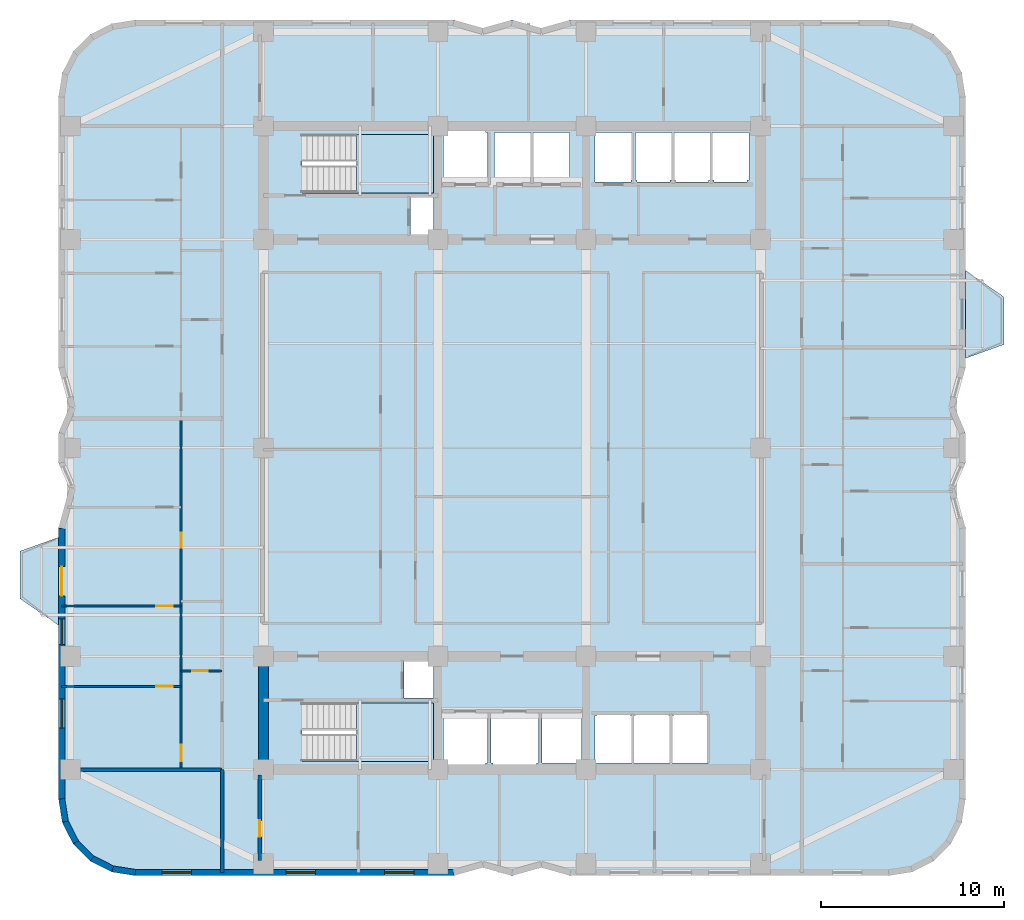
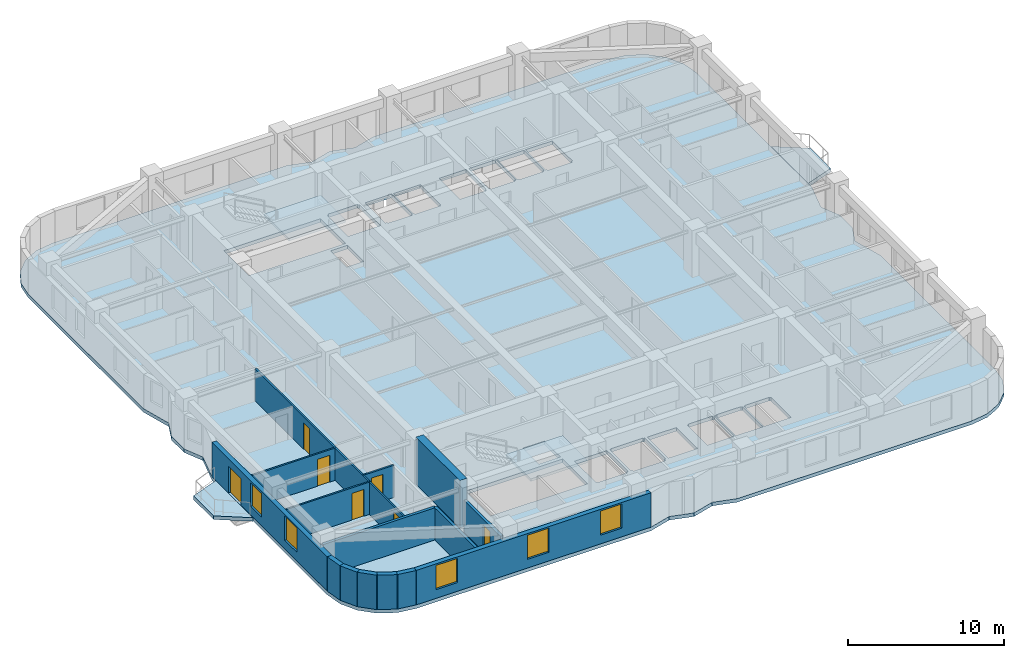
# One storey, part 2 of 9: 15 walls, 7 doors, 5 slabs, 5 windows, 12 openings, 2 elements without a shape of their own.
"""IFC4 building model written with IfcOpenShell, lengths in metres."""

from ifc_helpers import new_model, si_unit, direction, frame, frame_2d, origin, place, context, subcontext, project, spatial, polyline, rectangle, outline, extrude, material, layer, layer_set, type_object, element, fill, aggregate, save


model = new_model("IFC4")

# Units and contexts
model_context = context("Model", 3, precision=1e-05, world=origin(), true_north=direction((0.0, 1.0)))
body_context = subcontext(model_context, "Body", "Model", "MODEL_VIEW")
ifc_project = project(units=[si_unit("LENGTHUNIT", "METRE"), si_unit("AREAUNIT", "SQUARE_METRE"), si_unit("VOLUMEUNIT", "CUBIC_METRE"), si_unit("PLANEANGLEUNIT", "RADIAN"), si_unit("MASSUNIT", "GRAM", prefix="KILO")], contexts=[model_context])

# Site, building, storey
site_placement = place(None, origin())
site = spatial("IfcSite", under=ifc_project, at=site_placement, CompositionType="ELEMENT")
building_placement = place(site_placement, origin())
building = spatial("IfcBuilding", under=site, at=building_placement, Name="Svetorya Sky Lyceum", CompositionType="ELEMENT")
storey_placement = place(building_placement, frame((0.0, 0.0, 88.300048828125)))
storey = spatial("IfcBuildingStorey", under=building, at=storey_placement, Name="L21", CompositionType="ELEMENT", Elevation=88.300048828125)

# Slabs
ifc_material_1 = material(Name="Concrete C40/50", Category="concrete")
ifc_layer_1 = layer(ifc_material_1, 0.280029296875)
ifc_layer_set_1 = layer_set([ifc_layer_1], Name="Concrete C40/50")
slab_type_1 = type_object("IfcSlabType", Name="SL-BAL-280", PredefinedType="FLOOR", material=ifc_layer_set_1)
slab_1_placement = place(storey_placement, frame((0.0, 0.0, -0.280029296875)))
element("IfcSlab", 1, at=slab_1_placement, inside=storey, type_object=slab_type_1, Name="L21 Chamfered Loggia Balcony BAL-W1", PredefinedType="FLOOR", context=body_context, shape_type="SweptSolid", body=[
    extrude(outline(polyline([(14.389892578125, 18.5), (14.389892578125, 23.300048828125), (12.2900390625, 22.550048828125), (12.2900390625, 19.949951171875), (14.389892578125, 18.5)])), origin(), (0.0, 0.0, 1.0), 0.280029296875),
])
slab_2_placement = place(storey_placement, frame((0.0, 0.0, -0.280029296875)))
element("IfcSlab", 2, at=slab_2_placement, inside=storey, type_object=slab_type_1, Name="L21 Chamfered Loggia Balcony BAL-E1", PredefinedType="FLOOR", context=body_context, shape_type="SweptSolid", body=[
    extrude(outline(polyline([(64.010009765625, 33.10009765625), (66.110107421875, 33.85009765625), (66.110107421875, 36.449951171875), (64.010009765625, 37.89990234375), (64.010009765625, 33.10009765625)])), origin(), (0.0, 0.0, 1.0), 0.280029296875),
])

# Stair, slab
stair_type_1 = type_object("IfcStairType", Name="STR-ST-S", PredefinedType="HALF_TURN_STAIR", material=ifc_material_1)
stair_1_placement = place(storey_placement, origin())
stair_1 = element("IfcStair", 3, at=stair_1_placement, inside=storey, type_object=stair_type_1, Name="L21 South Core Smoke-Free Exit Stair N2", PredefinedType="HALF_TURN_STAIR")
ifc_layer_2 = layer(ifc_material_1, 0.199951171875)
ifc_layer_set_2 = layer_set([ifc_layer_2], Name="Concrete C40/50")
slab_type_2 = type_object("IfcSlabType", Name="SL-STR-LAND-200", PredefinedType="LANDING", material=ifc_layer_set_2)
slab_3_placement = place(storey_placement, frame((0.0, 0.0, 1.64990234375)))
slab_3 = element("IfcSlab", 4, at=slab_3_placement, type_object=slab_type_2, Name="ST-S landing 1", PredefinedType="LANDING", context=body_context, shape_type="SweptSolid", body=[
    extrude(outline(polyline([(30.699951171875, 11.050048828125), (34.89990234375, 11.050048828125), (34.89990234375, 14.25), (30.699951171875, 14.25), (30.699951171875, 11.050048828125)])), origin(), (0.0, 0.0, 1.0), 0.199951171875),
])
aggregate(stair_1, [slab_3])

stair_type_2 = type_object("IfcStairType", Name="STR-ST-N", PredefinedType="HALF_TURN_STAIR", material=ifc_material_1)
stair_2_placement = place(storey_placement, origin())
stair_2 = element("IfcStair", 5, at=stair_2_placement, inside=storey, type_object=stair_type_2, Name="L21 North Core Smoke-Free Exit Stair N3", PredefinedType="HALF_TURN_STAIR")
slab_4_placement = place(storey_placement, frame((0.0, 0.0, 1.64990234375)))
slab_4 = element("IfcSlab", 6, at=slab_4_placement, type_object=slab_type_2, Name="ST-N landing 1", PredefinedType="LANDING", context=body_context, shape_type="SweptSolid", body=[
    extrude(outline(polyline([(30.699951171875, 42.14990234375), (34.89990234375, 42.14990234375), (34.89990234375, 45.35009765625), (30.699951171875, 45.35009765625), (30.699951171875, 42.14990234375)])), origin(), (0.0, 0.0, 1.0), 0.199951171875),
])
aggregate(stair_2, [slab_4])

# Slab
ifc_material_2 = material(Name="Concrete C50/60", Category="concrete")
ifc_layer_3 = layer(ifc_material_2, 0.280029296875)
ifc_layer_set_3 = layer_set([ifc_layer_3], Name="Concrete C50/60")
slab_type_3 = type_object("IfcSlabType", Name="SL-TWR-280", PredefinedType="FLOOR", material=ifc_layer_set_3)
slab_5_placement = place(storey_placement, frame((0.0, 0.0, -0.280029296875)))
element("IfcSlab", 7, at=slab_5_placement, inside=storey, type_object=slab_type_3, Name="L21 Structural Floor Slab", PredefinedType="FLOOR", context=body_context, shape_type="SweptSolid", body=[
    extrude(outline(polyline([(14.39990234375, 9.0), (14.605712890625, 7.7021484375), (15.2021484375, 6.53125), (16.13134765625, 5.60205078125), (17.302001953125, 5.005615234375), (18.60009765625, 4.800048828125), (36.0, 4.800048828125), (37.60009765625, 5.25), (39.199951171875, 4.800048828125), (40.800048828125, 5.25), (42.39990234375, 4.800048828125), (59.800048828125, 4.800048828125), (61.097900390625, 5.005615234375), (62.268798828125, 5.60205078125), (63.197998046875, 6.53125), (63.79443359375, 7.7021484375), (64.0, 9.0), (64.0, 23.800048828125), (63.39990234375, 26.0), (64.0, 27.39990234375), (64.0, 29.0), (63.39990234375, 30.39990234375), (64.0, 32.60009765625), (64.0, 47.39990234375), (63.79443359375, 48.697998046875), (63.197998046875, 49.86865234375), (62.268798828125, 50.7978515625), (61.097900390625, 51.394287109375), (59.800048828125, 51.60009765625), (42.39990234375, 51.60009765625), (40.800048828125, 51.14990234375), (39.199951171875, 51.60009765625), (37.60009765625, 51.14990234375), (36.0, 51.60009765625), (18.60009765625, 51.60009765625), (17.302001953125, 51.394287109375), (16.13134765625, 50.7978515625), (15.2021484375, 49.86865234375), (14.605712890625, 48.697998046875), (14.39990234375, 47.39990234375), (14.39990234375, 32.60009765625), (15.0, 30.39990234375), (14.39990234375, 29.0), (14.39990234375, 27.39990234375), (15.0, 26.0), (14.39990234375, 23.800048828125), (14.39990234375, 9.0)]), holes=[polyline([(35.550048828125, 13.64990234375), (37.75, 13.64990234375), (37.85009765625, 13.64990234375), (37.85009765625, 10.949951171875), (37.75, 10.949951171875), (37.75, 10.85009765625), (35.550048828125, 10.85009765625), (35.550048828125, 10.949951171875), (35.449951171875, 10.949951171875), (35.449951171875, 13.64990234375), (35.550048828125, 13.64990234375)]), polyline([(40.64990234375, 10.949951171875), (40.550048828125, 10.949951171875), (40.550048828125, 10.800048828125), (38.14990234375, 10.800048828125), (38.14990234375, 10.949951171875), (38.050048828125, 10.949951171875), (38.050048828125, 13.64990234375), (38.14990234375, 13.64990234375), (38.14990234375, 13.699951171875), (40.550048828125, 13.699951171875), (40.550048828125, 13.64990234375), (40.64990234375, 13.64990234375), (40.64990234375, 10.949951171875)]), polyline([(40.85009765625, 13.64990234375), (43.0, 13.64990234375), (43.0, 10.949951171875), (40.85009765625, 10.949951171875), (40.85009765625, 13.64990234375)]), polyline([(27.719970703125, 14.25), (34.89990234375, 14.25), (34.89990234375, 11.050048828125), (27.719970703125, 11.050048828125), (27.719970703125, 14.25)]), polyline([(33.300048828125, 16.580078125), (34.89990234375, 16.580078125), (34.89990234375, 14.52001953125), (33.300048828125, 14.52001953125), (33.300048828125, 16.580078125)]), polyline([(33.64990234375, 39.820068359375), (33.64990234375, 41.89990234375), (34.89990234375, 41.89990234375), (34.89990234375, 39.820068359375), (33.64990234375, 39.820068359375)]), polyline([(27.719970703125, 45.35009765625), (34.89990234375, 45.35009765625), (34.89990234375, 42.14990234375), (27.719970703125, 42.14990234375), (27.719970703125, 45.35009765625)]), polyline([(35.550048828125, 42.75), (35.449951171875, 42.75), (35.449951171875, 45.449951171875), (35.550048828125, 45.449951171875), (35.550048828125, 45.550048828125), (37.75, 45.550048828125), (37.75, 45.449951171875), (37.85009765625, 45.449951171875), (37.85009765625, 42.75), (37.75, 42.75), (35.550048828125, 42.75)]), polyline([(40.199951171875, 42.85009765625), (40.199951171875, 42.75), (38.39990234375, 42.75), (38.39990234375, 42.85009765625), (38.25, 42.85009765625), (38.25, 45.449951171875), (38.39990234375, 45.449951171875), (40.199951171875, 45.449951171875), (40.25, 45.449951171875), (40.25, 42.85009765625), (40.199951171875, 42.85009765625)]), polyline([(40.39990234375, 42.85009765625), (40.35009765625, 42.85009765625), (40.35009765625, 45.449951171875), (40.39990234375, 45.449951171875), (42.300048828125, 45.449951171875), (42.35009765625, 45.449951171875), (42.35009765625, 42.85009765625), (42.300048828125, 42.85009765625), (42.300048828125, 42.75), (40.39990234375, 42.75), (40.39990234375, 42.85009765625)]), polyline([(43.85009765625, 10.949951171875), (43.75, 10.949951171875), (43.75, 13.550048828125), (43.85009765625, 13.550048828125), (43.85009765625, 13.60009765625), (45.64990234375, 13.60009765625), (45.64990234375, 13.550048828125), (45.75, 13.550048828125), (45.75, 10.949951171875), (45.64990234375, 10.949951171875), (43.85009765625, 10.949951171875)]), polyline([(45.949951171875, 10.949951171875), (45.85009765625, 10.949951171875), (45.85009765625, 13.550048828125), (45.949951171875, 13.550048828125), (45.949951171875, 13.60009765625), (47.75, 13.60009765625), (47.75, 13.550048828125), (47.85009765625, 13.550048828125), (47.85009765625, 10.949951171875), (47.75, 10.949951171875), (45.949951171875, 10.949951171875)]), polyline([(49.85009765625, 13.550048828125), (49.949951171875, 13.550048828125), (49.949951171875, 10.949951171875), (49.85009765625, 10.949951171875), (48.050048828125, 10.949951171875), (47.949951171875, 10.949951171875), (47.949951171875, 13.550048828125), (48.050048828125, 13.550048828125), (48.050048828125, 13.60009765625), (49.85009765625, 13.60009765625), (49.85009765625, 13.550048828125)]), polyline([(43.75, 42.85009765625), (43.75, 45.449951171875), (45.699951171875, 45.449951171875), (45.75, 45.449951171875), (45.75, 42.85009765625), (45.699951171875, 42.85009765625), (45.699951171875, 42.75), (43.75, 42.75), (43.75, 42.85009765625)]), polyline([(46.050048828125, 42.85009765625), (45.949951171875, 42.85009765625), (45.949951171875, 45.449951171875), (46.050048828125, 45.449951171875), (47.85009765625, 45.449951171875), (47.949951171875, 45.449951171875), (47.949951171875, 42.85009765625), (47.85009765625, 42.85009765625), (47.85009765625, 42.75), (46.050048828125, 42.75), (46.050048828125, 42.85009765625)]), polyline([(48.14990234375, 42.85009765625), (48.050048828125, 42.85009765625), (48.050048828125, 45.449951171875), (48.14990234375, 45.449951171875), (49.949951171875, 45.449951171875), (50.050048828125, 45.449951171875), (50.050048828125, 42.85009765625), (49.949951171875, 42.85009765625), (49.949951171875, 42.75), (48.14990234375, 42.75), (48.14990234375, 42.85009765625)]), polyline([(50.25, 42.85009765625), (50.14990234375, 42.85009765625), (50.14990234375, 45.449951171875), (50.25, 45.449951171875), (52.050048828125, 45.449951171875), (52.14990234375, 45.449951171875), (52.14990234375, 42.85009765625), (52.050048828125, 42.85009765625), (52.050048828125, 42.75), (50.25, 42.75), (50.25, 42.85009765625)])]), origin(), (0.0, 0.0, 1.0), 0.280029296875),
])

# Walls
ifc_material_3 = material(Name="Concrete C60/75", Category="concrete")
ifc_layer_4 = layer(ifc_material_3, 0.550048828125)
ifc_layer_set_4 = layer_set([ifc_layer_4], Name="Concrete C60/75")
wall_type_1 = type_object("IfcWallType", Name="WL-CORE-550", PredefinedType="SHEAR", material=ifc_layer_set_4)
wall_1_placement = place(storey_placement, frame((25.60009765625, 10.875, 0.0), z_axis=(0.0, 0.0, 1.0), x_axis=(0.0, 1.0, 0.0)))
element("IfcWall", 8, at=wall_1_placement, inside=storey, type_object=wall_type_1, Name="L21 SC West Core Shear Wall", PredefinedType="SHEAR", context=body_context, shape_type="SweptSolid", body=[
    extrude(rectangle(XDim=5.64990234375, YDim=0.550048828125, at=frame_2d((2.824951171875, 0.0))), origin(), (0.0, 0.0, 1.0), 3.699951171875),
])
ifc_material_4 = material(Name="Putilovo limestone rainscreen on autoclaved cellular masonry", Category="masonry")
ifc_layer_5 = layer(ifc_material_4, 0.340087890625)
ifc_layer_set_5 = layer_set([ifc_layer_5], Name="Putilovo limestone rainscreen on autoclaved cellular masonry")
wall_type_2 = type_object("IfcWallType", Name="WL-EXT-340", PredefinedType="SOLIDWALL", material=ifc_layer_set_5)
wall_2_placement = place(storey_placement, frame((14.570068359375, 9.0, 0.0), z_axis=(0.0, 0.0, 1.0), x_axis=(0.156260864002, -0.98771582066, 0.0)))
element("IfcWall", 9, at=wall_2_placement, inside=storey, type_object=wall_type_2, Name="L21 Limestone Exterior Wall 1M", PredefinedType="SOLIDWALL", context=body_context, shape_type="SweptSolid", body=[
    extrude(rectangle(XDim=1.2607421875, YDim=0.340087890625, at=frame_2d((0.63037109375, 0.0))), origin(), (0.0, 0.0, 1.0), 2.699951171875),
])
wall_3_placement = place(storey_placement, frame((14.76708984375, 7.754638671875, 0.0), z_axis=(0.0, 0.0, 1.0), x_axis=(0.454015689056, -0.890993689142, 0.0)))
element("IfcWall", 10, at=wall_3_placement, inside=storey, type_object=wall_type_2, Name="L21 Limestone Exterior Wall 2M", PredefinedType="SOLIDWALL", context=body_context, shape_type="SweptSolid", body=[
    extrude(rectangle(XDim=1.260986328125, YDim=0.340087890625, at=frame_2d((0.63037109375, 0.0))), origin(), (0.0, 0.0, 1.0), 2.699951171875),
])
wall_4_placement = place(storey_placement, frame((15.339599609375, 6.631103515625, 0.0), z_axis=(0.0, 0.0, 1.0), x_axis=(0.707203598708, -0.707009950407, 0.0)))
element("IfcWall", 11, at=wall_4_placement, inside=storey, type_object=wall_type_2, Name="L21 Limestone Exterior Wall 3M", PredefinedType="SOLIDWALL", context=body_context, shape_type="SweptSolid", body=[
    extrude(rectangle(XDim=1.2607421875, YDim=0.340087890625, at=frame_2d((0.63037109375, 0.0))), origin(), (0.0, 0.0, 1.0), 2.699951171875),
])
for number, where, z_axis, x_axis, name in (
    (12, (16.231201171875, 5.73974609375, 0.0), (0.0, 0.0, 1.0), (0.890993689142, -0.454015689056, 0.0), "L21 Limestone Exterior Wall 4M"),
    (13, (17.354736328125, 5.167236328125, 0.0), (0.0, 0.0, 1.0), (0.987685918112, -0.15644975923, 0.0), "L21 Limestone Exterior Wall 5M"),
):
    element("IfcWall", number, at=place(storey_placement, frame(where, z_axis=z_axis, x_axis=x_axis)), inside=storey, type_object=wall_type_2, Name=name, PredefinedType="SOLIDWALL", context=body_context, shape_type="SweptSolid", body=[
        extrude(rectangle(XDim=1.260986328125, YDim=0.340087890625, at=frame_2d((0.63037109375, 0.0))), origin(), (0.0, 0.0, 1.0), 2.699951171875),
    ])

# Wall, openings, windows
wall_5_placement = place(storey_placement, frame((18.60009765625, 4.969970703125, 0.0), z_axis=(0.0, 0.0, 1.0), x_axis=(1.0, 0.0, 0.0)))
wall_5 = element("IfcWall", 14, at=wall_5_placement, inside=storey, type_object=wall_type_2, Name="L21 Limestone Exterior Wall 6M", PredefinedType="SOLIDWALL", context=body_context, shape_type="SweptSolid", body=[
    extrude(rectangle(XDim=17.39990234375, YDim=0.340087890625, at=frame_2d((8.699951171875, 0.0))), origin(), (0.0, 0.0, 1.0), 2.699951171875),
])
opening_1_placement = place(wall_5_placement, frame((1.4599609375, 0.0, 0.679931640625)))
opening_1 = element("IfcOpeningElement", 15, at=opening_1_placement, cuts=wall_5, Name="Opening W-R4", PredefinedType="OPENING", context=body_context, shape_type="SweptSolid", body=[
    extrude(rectangle(XDim=1.60009765625, YDim=1.89990234375, at=frame_2d((0.800048828125, 0.949951171875))), frame((0.0, 0.179931640625, 0.0), z_axis=(0.0, -1.0, 0.0), x_axis=(1.0, 0.0, 0.0)), (0.0, 0.0, 1.0), 0.360107421875),
])
opening_2_placement = place(wall_5_placement, frame((8.25, 0.0, 0.679931640625)))
opening_2 = element("IfcOpeningElement", 16, at=opening_2_placement, cuts=wall_5, Name="Opening W-R4", PredefinedType="OPENING", context=body_context, shape_type="SweptSolid", body=[
    extrude(rectangle(XDim=1.60009765625, YDim=1.89990234375, at=frame_2d((0.800048828125, 0.949951171875))), frame((0.0, 0.179931640625, 0.0), z_axis=(0.0, -1.0, 0.0), x_axis=(1.0, 0.0, 0.0)), (0.0, 0.0, 1.0), 0.360107421875),
])
opening_3_placement = place(wall_5_placement, frame((13.639892578125, 0.0, 0.679931640625)))
opening_3 = element("IfcOpeningElement", 17, at=opening_3_placement, cuts=wall_5, Name="Opening W-R4", PredefinedType="OPENING", context=body_context, shape_type="SweptSolid", body=[
    extrude(rectangle(XDim=1.60009765625, YDim=1.89990234375, at=frame_2d((0.800048828125, 0.949951171875))), frame((0.0, 0.179931640625, 0.0), z_axis=(0.0, -1.0, 0.0), x_axis=(1.0, 0.0, 0.0)), (0.0, 0.0, 1.0), 0.360107421875),
])
ifc_material_5 = material(Name="Thermally broken aluminium frame with triple low-E glazing", Category="aluminium")
window_type_1 = type_object("IfcWindowType", Name="WN-RES-160", PartitioningType="DOUBLE_PANEL_VERTICAL", PredefinedType="WINDOW", material=ifc_material_5)
window_1_placement = place(opening_1_placement, origin())
window_1 = element("IfcWindow", 18, at=window_1_placement, inside=storey, type_object=window_type_1, Name="L21 Facade Window W-R4.6M.1", OverallHeight=1.89990234375, OverallWidth=1.60009765625, PartitioningType="SINGLE_PANEL", PredefinedType="WINDOW", context=body_context, shape_type="SweptSolid", body=[
    extrude(rectangle(XDim=1.60009765625, YDim=1.89990234375, at=frame_2d((0.800048828125, 0.949951171875))), frame((0.0, 0.030029296875, 0.0), z_axis=(0.0, -1.0, 0.0), x_axis=(1.0, 0.0, 0.0)), (0.0, 0.0, 1.0), 0.06005859375),
])
fill(opening_1, window_1)
window_2_placement = place(opening_2_placement, origin())
window_2 = element("IfcWindow", 19, at=window_2_placement, inside=storey, type_object=window_type_1, Name="L21 Facade Window W-R4.6M.2", OverallHeight=1.89990234375, OverallWidth=1.60009765625, PartitioningType="SINGLE_PANEL", PredefinedType="WINDOW", context=body_context, shape_type="SweptSolid", body=[
    extrude(rectangle(XDim=1.60009765625, YDim=1.89990234375, at=frame_2d((0.800048828125, 0.949951171875))), frame((0.0, 0.030029296875, 0.0), z_axis=(0.0, -1.0, 0.0), x_axis=(1.0, 0.0, 0.0)), (0.0, 0.0, 1.0), 0.06005859375),
])
fill(opening_2, window_2)
window_3_placement = place(opening_3_placement, origin())
window_3 = element("IfcWindow", 20, at=window_3_placement, inside=storey, type_object=window_type_1, Name="L21 Facade Window W-R4.6M.3", OverallHeight=1.89990234375, OverallWidth=1.60009765625, PartitioningType="SINGLE_PANEL", PredefinedType="WINDOW", context=body_context, shape_type="SweptSolid", body=[
    extrude(rectangle(XDim=1.60009765625, YDim=1.89990234375, at=frame_2d((0.800048828125, 0.949951171875))), frame((0.0, 0.030029296875, 0.0), z_axis=(0.0, -1.0, 0.0), x_axis=(1.0, 0.0, 0.0)), (0.0, 0.0, 1.0), 0.06005859375),
])
fill(opening_3, window_3)

# Wall, openings, door, windows
wall_6_placement = place(storey_placement, frame((14.570068359375, 23.800048828125, 0.0), z_axis=(0.0, 0.0, 1.0), x_axis=(0.0, -1.0, 0.0)))
wall_6 = element("IfcWall", 21, at=wall_6_placement, inside=storey, type_object=wall_type_2, Name="L21 Limestone Exterior Wall 46M", PredefinedType="SOLIDWALL", context=body_context, shape_type="SweptSolid", body=[
    extrude(rectangle(XDim=14.800048828125, YDim=0.340087890625, at=frame_2d((7.39990234375, 0.0))), origin(), (0.0, 0.0, 1.0), 2.699951171875),
])
opening_4_placement = place(wall_6_placement, frame((2.10009765625, 0.0, 0.0)))
opening_4 = element("IfcOpeningElement", 22, at=opening_4_placement, cuts=wall_6, Name="Opening D-BL1", PredefinedType="OPENING", context=body_context, shape_type="SweptSolid", body=[
    extrude(rectangle(XDim=1.60009765625, YDim=2.10009765625, at=frame_2d((0.800048828125, 1.050048828125))), frame((0.0, 0.179931640625, 0.0), z_axis=(0.0, -1.0, 0.0), x_axis=(1.0, 0.0, 0.0)), (0.0, 0.0, 1.0), 0.360107421875),
])
opening_5_placement = place(wall_6_placement, frame((4.9599609375, 0.0, 0.68994140625)))
opening_5 = element("IfcOpeningElement", 23, at=opening_5_placement, cuts=wall_6, Name="Opening W-R2", PredefinedType="OPENING", context=body_context, shape_type="SweptSolid", body=[
    extrude(rectangle(XDim=1.39990234375, YDim=1.85009765625, at=frame_2d((0.699951171875, 0.925048828125))), frame((0.0, 0.179931640625, 0.0), z_axis=(0.0, -1.0, 0.0), x_axis=(1.0, 0.0, 0.0)), (0.0, 0.0, 1.0), 0.360107421875),
])
opening_6_placement = place(wall_6_placement, frame((9.33740234375, 0.0, 0.679931640625)))
opening_6 = element("IfcOpeningElement", 24, at=opening_6_placement, cuts=wall_6, Name="Opening W-R4", PredefinedType="OPENING", context=body_context, shape_type="SweptSolid", body=[
    extrude(rectangle(XDim=1.60009765625, YDim=1.89990234375, at=frame_2d((0.800048828125, 0.949951171875))), frame((0.0, 0.179931640625, 0.0), z_axis=(0.0, -1.0, 0.0), x_axis=(1.0, 0.0, 0.0)), (0.0, 0.0, 1.0), 0.360107421875),
])
ifc_material_6 = material(Name="Insulated glazed aluminium balcony door", Category="aluminium")
door_type_1 = type_object("IfcDoorType", Name="DR-BAL-1600", OperationType="DOUBLE_DOOR_SINGLE_SWING", PredefinedType="DOOR", material=ifc_material_6)
door_1_placement = place(opening_4_placement, origin())
door_1 = element("IfcDoor", 25, at=door_1_placement, inside=storey, type_object=door_type_1, Name="L21 Balcony BAL-W1 Door", OperationType="DOUBLE_DOOR_SINGLE_SWING", OverallHeight=2.10009765625, OverallWidth=1.60009765625, PredefinedType="DOOR", context=body_context, shape_type="SweptSolid", body=[
    extrude(rectangle(XDim=1.60009765625, YDim=2.10009765625, at=frame_2d((0.800048828125, 1.050048828125))), frame((0.0, 0.02490234375, 0.0), z_axis=(0.0, -1.0, 0.0), x_axis=(1.0, 0.0, 0.0)), (0.0, 0.0, 1.0), 0.050048828125),
])
fill(opening_4, door_1)
window_type_2 = type_object("IfcWindowType", Name="WN-RES-140", PartitioningType="SINGLE_PANEL", PredefinedType="WINDOW", material=ifc_material_5)
window_4_placement = place(opening_5_placement, origin())
window_4 = element("IfcWindow", 26, at=window_4_placement, inside=storey, type_object=window_type_2, Name="L21 Facade Window W-R2.46M.2", OverallHeight=1.85009765625, OverallWidth=1.39990234375, PartitioningType="SINGLE_PANEL", PredefinedType="WINDOW", context=body_context, shape_type="SweptSolid", body=[
    extrude(rectangle(XDim=1.39990234375, YDim=1.85009765625, at=frame_2d((0.699951171875, 0.925048828125))), frame((0.0, 0.030029296875, 0.0), z_axis=(0.0, -1.0, 0.0), x_axis=(1.0, 0.0, 0.0)), (0.0, 0.0, 1.0), 0.06005859375),
])
fill(opening_5, window_4)
window_5_placement = place(opening_6_placement, origin())
window_5 = element("IfcWindow", 27, at=window_5_placement, inside=storey, type_object=window_type_1, Name="L21 Facade Window W-R4.46M.1", OverallHeight=1.89990234375, OverallWidth=1.60009765625, PartitioningType="SINGLE_PANEL", PredefinedType="WINDOW", context=body_context, shape_type="SweptSolid", body=[
    extrude(rectangle(XDim=1.60009765625, YDim=1.89990234375, at=frame_2d((0.800048828125, 0.949951171875))), frame((0.0, 0.030029296875, 0.0), z_axis=(0.0, -1.0, 0.0), x_axis=(1.0, 0.0, 0.0)), (0.0, 0.0, 1.0), 0.06005859375),
])
fill(opening_6, window_5)

# Wall, opening, door
ifc_material_7 = material(Name="Twin-stud galvanized framing with double fireboard", Category="gypsum")
ifc_layer_6 = layer(ifc_material_7, 0.1201171875)
ifc_layer_set_6 = layer_set([ifc_layer_6], Name="Twin-stud galvanized framing with double fireboard")
wall_type_3 = type_object("IfcWallType", Name="WL-PART-120", PredefinedType="PARTITIONING", material=ifc_layer_set_6)
wall_7_placement = place(storey_placement, frame((21.10009765625, 16.0, 0.0), z_axis=(0.0, 0.0, 1.0), x_axis=(1.0, 0.0, 0.0)))
wall_7 = element("IfcWall", 28, at=wall_7_placement, inside=storey, type_object=wall_type_3, Name="L21 Interior Partition W1-WH1", PredefinedType="PARTITIONING", context=body_context, shape_type="SweptSolid", body=[
    extrude(rectangle(XDim=2.25, YDim=0.1201171875, at=frame_2d((1.125, 0.0))), origin(), (0.0, 0.0, 1.0), 2.530029296875),
])
opening_7_placement = place(wall_7_placement, frame((0.60009765625, 0.0, 0.0)))
opening_7 = element("IfcOpeningElement", 29, at=opening_7_placement, cuts=wall_7, Name="Opening D-BT1", PredefinedType="OPENING", context=body_context, shape_type="SweptSolid", body=[
    extrude(rectangle(XDim=0.85009765625, YDim=2.10009765625, at=frame_2d((0.425048828125, 1.050048828125))), frame((0.0, 0.070068359375, 0.0), z_axis=(0.0, -1.0, 0.0), x_axis=(1.0, 0.0, 0.0)), (0.0, 0.0, 1.0), 0.14013671875),
])
ifc_material_8 = material(Name="Moisture-resistant laminate bathroom door")
door_type_2 = type_object("IfcDoorType", Name="DR-WET-850", OperationType="SINGLE_SWING_LEFT", PredefinedType="DOOR", material=ifc_material_8)
door_2_placement = place(opening_7_placement, origin())
door_2 = element("IfcDoor", 30, at=door_2_placement, inside=storey, type_object=door_type_2, Name="Apartment W1 Bathroom Door", OperationType="SINGLE_SWING_LEFT", OverallHeight=2.10009765625, OverallWidth=0.85009765625, PredefinedType="DOOR", context=body_context, shape_type="SweptSolid", body=[
    extrude(rectangle(XDim=0.85009765625, YDim=2.10009765625, at=frame_2d((0.425048828125, 1.050048828125))), frame((0.0, 0.02490234375, 0.0), z_axis=(0.0, -1.0, 0.0), x_axis=(1.0, 0.0, 0.0)), (0.0, 0.0, 1.0), 0.050048828125),
])
fill(opening_7, door_2)

wall_8_placement = place(storey_placement, frame((14.570068359375, 15.14990234375, 0.0), z_axis=(0.0, 0.0, 1.0), x_axis=(1.0, 0.0, 0.0)))
wall_8 = element("IfcWall", 31, at=wall_8_placement, inside=storey, type_object=wall_type_3, Name="L21 Interior Partition W1-WL1", PredefinedType="PARTITIONING", context=body_context, shape_type="SweptSolid", body=[
    extrude(rectangle(XDim=6.530029296875, YDim=0.1201171875, at=frame_2d((3.26513671875, 0.0))), origin(), (0.0, 0.0, 1.0), 2.530029296875),
])
opening_8_placement = place(wall_8_placement, frame((5.179931640625, 0.0, 0.0)))
opening_8 = element("IfcOpeningElement", 32, at=opening_8_placement, cuts=wall_8, Name="Opening D-RM1", PredefinedType="OPENING", context=body_context, shape_type="SweptSolid", body=[
    extrude(rectangle(XDim=0.89990234375, YDim=2.10009765625, at=frame_2d((0.449951171875, 1.050048828125))), frame((0.0, 0.070068359375, 0.0), z_axis=(0.0, -1.0, 0.0), x_axis=(1.0, 0.0, 0.0)), (0.0, 0.0, 1.0), 0.14013671875),
])
ifc_material_9 = material(Name="Lacquered birch veneer internal door")
door_type_3 = type_object("IfcDoorType", Name="DR-INT-900", OperationType="SINGLE_SWING_LEFT", PredefinedType="DOOR", material=ifc_material_9)
door_3_placement = place(opening_8_placement, origin())
door_3 = element("IfcDoor", 33, at=door_3_placement, inside=storey, type_object=door_type_3, Name="Apartment W1 Master Bedroom Door", OperationType="SINGLE_SWING_LEFT", OverallHeight=2.10009765625, OverallWidth=0.89990234375, PredefinedType="DOOR", context=body_context, shape_type="SweptSolid", body=[
    extrude(rectangle(XDim=0.89990234375, YDim=2.10009765625, at=frame_2d((0.449951171875, 1.050048828125))), frame((0.0, 0.02490234375, 0.0), z_axis=(0.0, -1.0, 0.0), x_axis=(1.0, 0.0, 0.0)), (0.0, 0.0, 1.0), 0.050048828125),
])
fill(opening_8, door_3)

wall_9_placement = place(storey_placement, frame((14.570068359375, 19.550048828125, 0.0), z_axis=(0.0, 0.0, 1.0), x_axis=(1.0, 0.0, 0.0)))
wall_9 = element("IfcWall", 34, at=wall_9_placement, inside=storey, type_object=wall_type_3, Name="L21 Interior Partition W1-WL2", PredefinedType="PARTITIONING", context=body_context, shape_type="SweptSolid", body=[
    extrude(rectangle(XDim=6.530029296875, YDim=0.1201171875, at=frame_2d((3.26513671875, 0.0))), origin(), (0.0, 0.0, 1.0), 2.530029296875),
])
opening_9_placement = place(wall_9_placement, frame((5.179931640625, 0.0, 0.0)))
opening_9 = element("IfcOpeningElement", 35, at=opening_9_placement, cuts=wall_9, Name="Opening D-RM1", PredefinedType="OPENING", context=body_context, shape_type="SweptSolid", body=[
    extrude(rectangle(XDim=0.89990234375, YDim=2.10009765625, at=frame_2d((0.449951171875, 1.050048828125))), frame((0.0, 0.070068359375, 0.0), z_axis=(0.0, -1.0, 0.0), x_axis=(1.0, 0.0, 0.0)), (0.0, 0.0, 1.0), 0.14013671875),
])
door_4_placement = place(opening_9_placement, origin())
door_4 = element("IfcDoor", 36, at=door_4_placement, inside=storey, type_object=door_type_3, Name="Apartment W1 Bedroom 2 Door", OperationType="SINGLE_SWING_RIGHT", OverallHeight=2.10009765625, OverallWidth=0.89990234375, PredefinedType="DOOR", context=body_context, shape_type="SweptSolid", body=[
    extrude(rectangle(XDim=0.89990234375, YDim=2.10009765625, at=frame_2d((0.449951171875, 1.050048828125))), frame((0.0, 0.02490234375, 0.0), z_axis=(0.0, -1.0, 0.0), x_axis=(1.0, 0.0, 0.0)), (0.0, 0.0, 1.0), 0.050048828125),
])
fill(opening_9, door_4)

# Wall, openings, doors
wall_10_placement = place(storey_placement, frame((21.10009765625, 10.639892578125, 0.0), z_axis=(0.0, 0.0, 1.0), x_axis=(0.0, 1.0, 0.0)))
wall_10 = element("IfcWall", 37, at=wall_10_placement, inside=storey, type_object=wall_type_3, Name="L21 Interior Partition W1-WV", PredefinedType="PARTITIONING", context=body_context, shape_type="SweptSolid", body=[
    extrude(rectangle(XDim=19.1201171875, YDim=0.1201171875, at=frame_2d((9.56005859375, 0.0))), origin(), (0.0, 0.0, 1.0), 2.530029296875),
])
opening_10_placement = place(wall_10_placement, frame((0.409912109375, 0.0, 0.0)))
opening_10 = element("IfcOpeningElement", 38, at=opening_10_placement, cuts=wall_10, Name="Opening D-RM1", PredefinedType="OPENING", context=body_context, shape_type="SweptSolid", body=[
    extrude(rectangle(XDim=0.89990234375, YDim=2.10009765625, at=frame_2d((0.449951171875, 1.050048828125))), frame((0.0, 0.070068359375, 0.0), z_axis=(0.0, -1.0, 0.0), x_axis=(1.0, 0.0, 0.0)), (0.0, 0.0, 1.0), 0.14013671875),
])
opening_11_placement = place(wall_10_placement, frame((12.10498046875, 0.0, 0.0)))
opening_11 = element("IfcOpeningElement", 39, at=opening_11_placement, cuts=wall_10, Name="Opening D-BT2", PredefinedType="OPENING", context=body_context, shape_type="SweptSolid", body=[
    extrude(rectangle(XDim=0.820068359375, YDim=2.080078125, at=frame_2d((0.41015625, 1.0400390625))), frame((0.0, 0.070068359375, 0.0), z_axis=(0.0, -1.0, 0.0), x_axis=(1.0, 0.0, 0.0)), (0.0, 0.0, 1.0), 0.14013671875),
])
door_5_placement = place(opening_10_placement, origin())
door_5 = element("IfcDoor", 40, at=door_5_placement, inside=storey, type_object=door_type_3, Name="Apartment W1 Living Door", OperationType="SINGLE_SWING_RIGHT", OverallHeight=2.10009765625, OverallWidth=0.89990234375, PredefinedType="DOOR", context=body_context, shape_type="SweptSolid", body=[
    extrude(rectangle(XDim=0.89990234375, YDim=2.10009765625, at=frame_2d((0.449951171875, 1.050048828125))), frame((0.0, 0.02490234375, 0.0), z_axis=(0.0, -1.0, 0.0), x_axis=(1.0, 0.0, 0.0)), (0.0, 0.0, 1.0), 0.050048828125),
])
fill(opening_10, door_5)
ifc_material_10 = material(Name="Compact moisture-resistant laminate closet door")
door_type_4 = type_object("IfcDoorType", Name="DR-WET-820", OperationType="SINGLE_SWING_LEFT", PredefinedType="DOOR", material=ifc_material_10)
door_6_placement = place(opening_11_placement, origin())
door_6 = element("IfcDoor", 41, at=door_6_placement, inside=storey, type_object=door_type_4, Name="Apartment W1 Study Door", OperationType="SINGLE_SWING_LEFT", OverallHeight=2.080078125, OverallWidth=0.820068359375, PredefinedType="DOOR", context=body_context, shape_type="SweptSolid", body=[
    extrude(rectangle(XDim=0.820068359375, YDim=2.080078125, at=frame_2d((0.41015625, 1.0400390625))), frame((0.0, 0.02490234375, 0.0), z_axis=(0.0, -1.0, 0.0), x_axis=(1.0, 0.0, 0.0)), (0.0, 0.0, 1.0), 0.050048828125),
])
fill(opening_11, door_6)

# Walls
ifc_material_11 = material(Name="Autoclaved cellular masonry blockwork with gypsum plaster", Category="masonry")
ifc_layer_7 = layer(ifc_material_11, 0.199951171875)
ifc_layer_set_7 = layer_set([ifc_layer_7], Name="Autoclaved cellular masonry blockwork with gypsum plaster")
wall_type_4 = type_object("IfcWallType", Name="WL-PART-200", PredefinedType="PARTITIONING", material=ifc_layer_set_7)
wall_11_placement = place(storey_placement, frame((14.989990234375, 10.60009765625, 0.0), z_axis=(0.0, 0.0, 1.0), x_axis=(1.0, 0.0, 0.0)))
element("IfcWall", 42, at=wall_11_placement, inside=storey, type_object=wall_type_4, Name="L21 Interior Partition W-CAP-S", PredefinedType="PARTITIONING", context=body_context, shape_type="SweptSolid", body=[
    extrude(rectangle(XDim=8.360107421875, YDim=0.199951171875, at=frame_2d((4.18017578125, 0.0))), origin(), (0.0, 0.0, 1.0), 2.530029296875),
])
wall_12_placement = place(storey_placement, frame((23.35009765625, 4.969970703125, 0.0), z_axis=(0.0, 0.0, 1.0), x_axis=(0.0, 1.0, 0.0)))
element("IfcWall", 43, at=wall_12_placement, inside=storey, type_object=wall_type_4, Name="L21 Interior Partition WC-SW-END", PredefinedType="PARTITIONING", context=body_context, shape_type="SweptSolid", body=[
    extrude(rectangle(XDim=5.630126953125, YDim=0.199951171875, at=frame_2d((2.81494140625, 0.0))), origin(), (0.0, 0.0, 1.0), 2.530029296875),
])

# Wall, opening, door
wall_13_placement = place(storey_placement, frame((25.39990234375, 5.6201171875, 0.0), z_axis=(0.0, 0.0, 1.0), x_axis=(0.0, 1.0, 0.0)))
wall_13 = element("IfcWall", 44, at=wall_13_placement, inside=storey, type_object=wall_type_4, Name="L21 Interior Partition S4-EW", PredefinedType="PARTITIONING", context=body_context, shape_type="SweptSolid", body=[
    extrude(rectangle(XDim=4.679931640625, YDim=0.199951171875, at=frame_2d((2.33984375, 0.0))), origin(), (0.0, 0.0, 1.0), 2.530029296875),
])
opening_12_placement = place(wall_13_placement, frame((1.300048828125, 0.0, 0.0)))
opening_12 = element("IfcOpeningElement", 45, at=opening_12_placement, cuts=wall_13, Name="Opening D-RM1", PredefinedType="OPENING", context=body_context, shape_type="SweptSolid", body=[
    extrude(rectangle(XDim=0.89990234375, YDim=2.10009765625, at=frame_2d((0.449951171875, 1.050048828125))), frame((0.0, 0.10986328125, 0.0), z_axis=(0.0, -1.0, 0.0), x_axis=(1.0, 0.0, 0.0)), (0.0, 0.0, 1.0), 0.219970703125),
])
door_7_placement = place(opening_12_placement, origin())
door_7 = element("IfcDoor", 46, at=door_7_placement, inside=storey, type_object=door_type_3, Name="L21 SW Office Door", OperationType="SINGLE_SWING_LEFT", OverallHeight=2.10009765625, OverallWidth=0.89990234375, PredefinedType="DOOR", context=body_context, shape_type="SweptSolid", body=[
    extrude(rectangle(XDim=0.89990234375, YDim=2.10009765625, at=frame_2d((0.449951171875, 1.050048828125))), frame((0.0, 0.02490234375, 0.0), z_axis=(0.0, -1.0, 0.0), x_axis=(1.0, 0.0, 0.0)), (0.0, 0.0, 1.0), 0.050048828125),
])
fill(opening_12, door_7)

save(model, "model.ifc")
